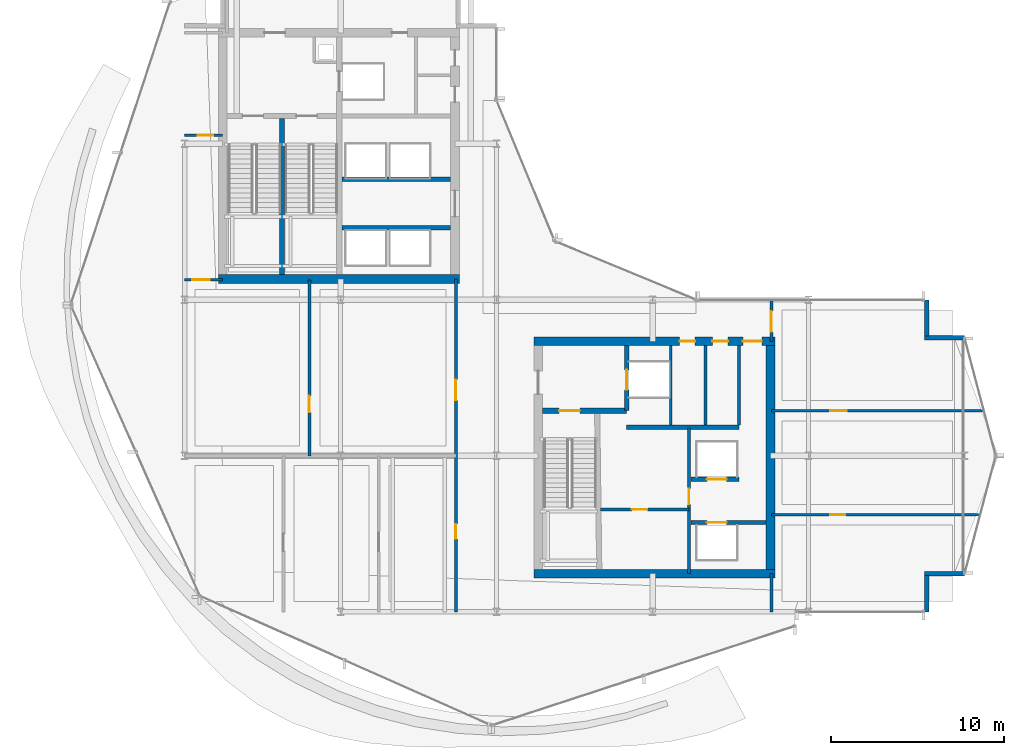
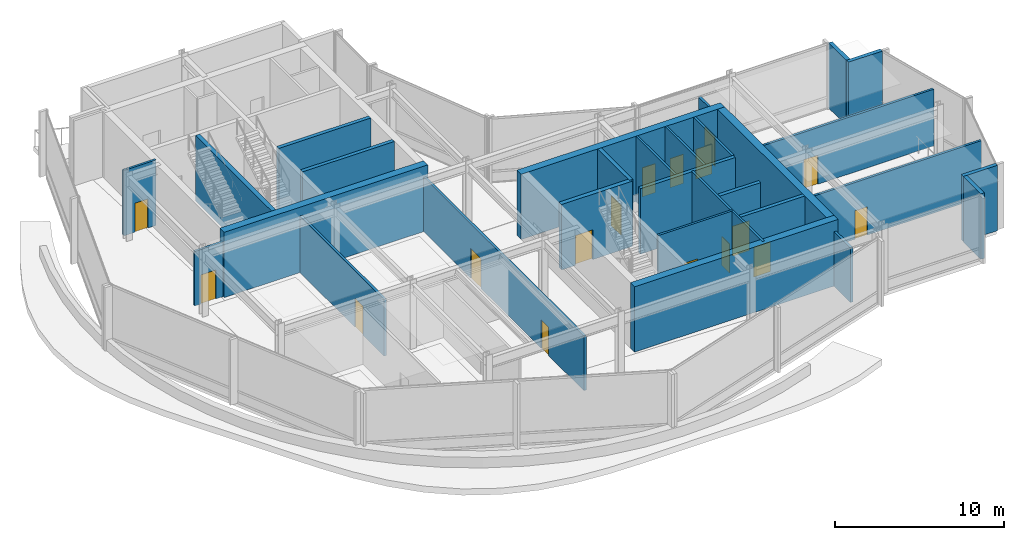
# One storey, part 21 of 29: 29 walls, 17 doors, 17 openings.
"""IFC4 building model written with IfcOpenShell, lengths in metres."""

from ifc_helpers import new_model, si_unit, direction, frame, frame_2d, origin, place, context, subcontext, project, spatial, rectangle, extrude, material, layer, layer_set, type_object, element, fill, save


model = new_model("IFC4")

# Units and contexts
model_context = context("Model", 3, precision=1e-05, world=origin(), true_north=direction((0.0, 1.0)))
body_context = subcontext(model_context, "Body", "Model", "MODEL_VIEW")
ifc_project = project(units=[si_unit("LENGTHUNIT", "METRE"), si_unit("AREAUNIT", "SQUARE_METRE"), si_unit("VOLUMEUNIT", "CUBIC_METRE"), si_unit("PLANEANGLEUNIT", "RADIAN"), si_unit("MASSUNIT", "GRAM", prefix="KILO")], contexts=[model_context])

# Site, building, storey
site_placement = place(None, origin())
site = spatial("IfcSite", under=ifc_project, at=site_placement, CompositionType="ELEMENT")
building_placement = place(site_placement, origin())
building = spatial("IfcBuilding", under=site, at=building_placement, Name="Solvaryn Broadcast Tower", CompositionType="ELEMENT")
storey_placement = place(building_placement, frame((0.0, 0.0, 169.199951171875)))
storey = spatial("IfcBuildingStorey", under=building, at=storey_placement, Name="L42", CompositionType="ELEMENT", Elevation=169.199951171875)

# Walls
ifc_material_1 = material(Name="Concrete f'c 70 MPa", Category="concrete")
ifc_layer_1 = layer(ifc_material_1, 0.5)
ifc_layer_set_1 = layer_set([ifc_layer_1], Name="CW-SHEAR-500")
wall_type_1 = type_object("IfcWallType", Name="CW-SHEAR-500", PredefinedType="SHEAR", material=ifc_layer_set_1)
for number, where, z_axis, x_axis, name in (
    (1, (10.949951171875, 28.199951171875, 0.0), (0.0, 0.0, 1.0), (1.0, 0.0, 0.0), "L42 West Core South Shear Wall"),
    (2, (29.14990234375, 11.199951171875, 0.0), (0.0, 0.0, 1.0), (1.0, 0.0, 0.0), "L42 East Core South Shear Wall"),
):
    element("IfcWall", number, at=place(storey_placement, frame(where, z_axis=z_axis, x_axis=x_axis)), inside=storey, type_object=wall_type_1, Name=name, PredefinedType="SHEAR", context=body_context, shape_type="SweptSolid", body=[
        extrude(rectangle(XDim=13.900146484375, YDim=0.5, at=frame_2d((6.9501953125, 0.0))), origin(), (0.0, 0.0, 1.0), 4.719970703125),
    ])

# Wall, openings, doors
wall_1_placement = place(storey_placement, frame((43.050048828125, 24.60009765625, 0.0), z_axis=(0.0, 0.0, 1.0), x_axis=(-1.0, 0.0, 0.0)))
wall_1 = element("IfcWall", 3, at=wall_1_placement, inside=storey, type_object=wall_type_1, Name="L42 East Core North Shear Wall", PredefinedType="SHEAR", context=body_context, shape_type="SweptSolid", body=[
    extrude(rectangle(XDim=13.900146484375, YDim=0.5, at=frame_2d((6.9501953125, 0.0))), origin(), (0.0, 0.0, 1.0), 4.719970703125),
])
opening_1_placement = place(wall_1_placement, frame((0.75, 0.0, 0.0)))
opening_1 = element("IfcOpeningElement", 4, at=opening_1_placement, cuts=wall_1, Name="Opening FD90C", PredefinedType="OPENING", context=body_context, shape_type="SweptSolid", body=[
    extrude(rectangle(XDim=1.10009765625, YDim=2.14990234375, at=frame_2d((0.550048828125, 1.074951171875))), frame((0.0, 0.260009765625, 0.0), z_axis=(0.0, -1.0, 0.0), x_axis=(1.0, 0.0, 0.0)), (0.0, 0.0, 1.0), 0.52001953125),
])
opening_2_placement = place(wall_1_placement, frame((2.699951171875, 0.0, 0.0)))
opening_2 = element("IfcOpeningElement", 5, at=opening_2_placement, cuts=wall_1, Name="Opening FD60C", PredefinedType="OPENING", context=body_context, shape_type="SweptSolid", body=[
    extrude(rectangle(XDim=0.89990234375, YDim=2.10009765625, at=frame_2d((0.449951171875, 1.050048828125))), frame((0.0, 0.260009765625, 0.0), z_axis=(0.0, -1.0, 0.0), x_axis=(1.0, 0.0, 0.0)), (0.0, 0.0, 1.0), 0.52001953125),
])
opening_3_placement = place(wall_1_placement, frame((4.60009765625, 0.0, 0.0)))
opening_3 = element("IfcOpeningElement", 6, at=opening_3_placement, cuts=wall_1, Name="Opening FD60C", PredefinedType="OPENING", context=body_context, shape_type="SweptSolid", body=[
    extrude(rectangle(XDim=0.89990234375, YDim=2.10009765625, at=frame_2d((0.449951171875, 1.050048828125))), frame((0.0, 0.260009765625, 0.0), z_axis=(0.0, -1.0, 0.0), x_axis=(1.0, 0.0, 0.0)), (0.0, 0.0, 1.0), 0.52001953125),
])
ifc_material_2 = material(Name="Flush Acoustic Steel and Timber Door Assembly", Category="steel")
door_type_1 = type_object("IfcDoorType", Name="FD60-SERV-900X2100", OperationType="NOTDEFINED", PredefinedType="DOOR", material=ifc_material_2)
door_1_placement = place(opening_2_placement, origin())
door_1 = element("IfcDoor", 7, at=door_1_placement, inside=storey, type_object=door_type_1, Name="L42 Staff Restroom Door", OperationType="SINGLE_SWING_LEFT", OverallHeight=2.10009765625, OverallWidth=0.89990234375, PredefinedType="DOOR", context=body_context, shape_type="SweptSolid", body=[
    extrude(rectangle(XDim=0.89990234375, YDim=2.10009765625, at=frame_2d((0.449951171875, 1.050048828125))), frame((0.0, 0.02490234375, 0.0), z_axis=(0.0, -1.0, 0.0), x_axis=(1.0, 0.0, 0.0)), (0.0, 0.0, 1.0), 0.050048828125),
])
fill(opening_2, door_1)
door_2_placement = place(opening_3_placement, origin())
door_2 = element("IfcDoor", 8, at=door_2_placement, inside=storey, type_object=door_type_1, Name="L42 Accessible WC Door", OperationType="SINGLE_SWING_RIGHT", OverallHeight=2.10009765625, OverallWidth=0.89990234375, PredefinedType="DOOR", context=body_context, shape_type="SweptSolid", body=[
    extrude(rectangle(XDim=0.89990234375, YDim=2.10009765625, at=frame_2d((0.449951171875, 1.050048828125))), frame((0.0, 0.02490234375, 0.0), z_axis=(0.0, -1.0, 0.0), x_axis=(1.0, 0.0, 0.0)), (0.0, 0.0, 1.0), 0.050048828125),
])
fill(opening_3, door_2)
ifc_material_3 = material(Name="Flush Acoustic Steel and Timber Door Assembly", Category="steel")
door_type_2 = type_object("IfcDoorType", Name="FD90-PLANT-1100X2150", OperationType="NOTDEFINED", PredefinedType="DOOR", material=ifc_material_3)
door_3_placement = place(opening_1_placement, origin())
door_3 = element("IfcDoor", 9, at=door_3_placement, inside=storey, type_object=door_type_2, Name="L42 East Core Lobby Corridor Door", OperationType="SINGLE_SWING_LEFT", OverallHeight=2.14990234375, OverallWidth=1.10009765625, PredefinedType="DOOR", context=body_context, shape_type="SweptSolid", body=[
    extrude(rectangle(XDim=1.10009765625, YDim=2.14990234375, at=frame_2d((0.550048828125, 1.074951171875))), frame((0.0, 0.02490234375, 0.0), z_axis=(0.0, -1.0, 0.0), x_axis=(1.0, 0.0, 0.0)), (0.0, 0.0, 1.0), 0.050048828125),
])
fill(opening_1, door_3)

# Walls
wall_2_placement = place(storey_placement, frame((42.800048828125, 11.449951171875, 0.0), z_axis=(0.0, 0.0, 1.0), x_axis=(0.0, 1.0, 0.0)))
element("IfcWall", 10, at=wall_2_placement, inside=storey, type_object=wall_type_1, Name="L42 East Core East Shear Wall", PredefinedType="SHEAR", context=body_context, shape_type="SweptSolid", body=[
    extrude(rectangle(XDim=12.900146484375, YDim=0.5, at=frame_2d((6.4501953125, 0.0))), origin(), (0.0, 0.0, 1.0), 4.719970703125),
])
ifc_material_4 = material(Name="Concrete f'c 50 MPa", Category="concrete")
ifc_layer_2 = layer(ifc_material_4, 0.260009765625)
ifc_layer_set_2 = layer_set([ifc_layer_2], Name="EW-PIER-260")
wall_type_2 = type_object("IfcWallType", Name="EW-PIER-260", PredefinedType="SOLIDWALL", material=ifc_layer_set_2)
wall_3_placement = place(storey_placement, frame((51.800048828125, 9.0, 0.0), z_axis=(0.0, 0.0, 1.0), x_axis=(0.0, 1.0, 0.0)))
element("IfcWall", 11, at=wall_3_placement, inside=storey, type_object=wall_type_2, Name="L42 Notched Corner Pier Wall NSE1", PredefinedType="SOLIDWALL", context=body_context, shape_type="SweptSolid", body=[
    extrude(rectangle(XDim=2.080078125, YDim=0.260009765625, at=frame_2d((1.0400390625, 0.0))), origin(), (0.0, 0.0, 1.0), 4.719970703125),
])
for number, where, z_axis, x_axis, name in (
    (12, (51.679931640625, 11.199951171875, 0.0), (0.0, 0.0, 1.0), (1.0, 0.0, 0.0), "L42 Notched Corner Pier Wall NSE2"),
    (13, (54.0, 24.800048828125, 0.0), (0.0, 0.0, 1.0), (-1.0, 0.0, 0.0), "L42 Notched Corner Pier Wall NEE1"),
):
    element("IfcWall", number, at=place(storey_placement, frame(where, z_axis=z_axis, x_axis=x_axis)), inside=storey, type_object=wall_type_2, Name=name, PredefinedType="SOLIDWALL", context=body_context, shape_type="SweptSolid", body=[
        extrude(rectangle(XDim=2.320068359375, YDim=0.260009765625, at=frame_2d((1.16015625, 0.0))), origin(), (0.0, 0.0, 1.0), 4.719970703125),
    ])
wall_4_placement = place(storey_placement, frame((51.800048828125, 24.919921875, 0.0), z_axis=(0.0, 0.0, 1.0), x_axis=(0.0, 1.0, 0.0)))
element("IfcWall", 14, at=wall_4_placement, inside=storey, type_object=wall_type_2, Name="L42 Notched Corner Pier Wall NEE2", PredefinedType="SOLIDWALL", context=body_context, shape_type="SweptSolid", body=[
    extrude(rectangle(XDim=2.080078125, YDim=0.260009765625, at=frame_2d((1.0400390625, 0.0))), origin(), (0.0, 0.0, 1.0), 4.719970703125),
])

# Wall, opening, door
ifc_material_5 = material(Name="Metal-Stud Service Core Partition")
ifc_layer_3 = layer(ifc_material_5, 0.14990234375)
ifc_layer_set_3 = layer_set([ifc_layer_3], Name="IW-PART-150")
wall_type_3 = type_object("IfcWallType", Name="IW-PART-150", PredefinedType="PARTITIONING", material=ifc_layer_set_3)
wall_5_placement = place(storey_placement, frame((33.0, 14.89990234375, 0.0), z_axis=(0.0, 0.0, 1.0), x_axis=(1.0, 0.0, 0.0)))
wall_5 = element("IfcWall", 15, at=wall_5_placement, inside=storey, type_object=wall_type_3, Name="L42 Interior Partition IW-L42-RPL-H", PredefinedType="PARTITIONING", context=body_context, shape_type="SweptSolid", body=[
    extrude(rectangle(XDim=5.10009765625, YDim=0.14990234375, at=frame_2d((2.550048828125, 0.0))), origin(), (0.0, 0.0, 1.0), 4.719970703125),
])
opening_4_placement = place(wall_5_placement, frame((1.800048828125, 0.0, 0.0)))
opening_4 = element("IfcOpeningElement", 16, at=opening_4_placement, cuts=wall_5, Name="Opening FD60C", PredefinedType="OPENING", context=body_context, shape_type="SweptSolid", body=[
    extrude(rectangle(XDim=0.89990234375, YDim=2.10009765625, at=frame_2d((0.449951171875, 1.050048828125))), frame((0.0, 0.0849609375, 0.0), z_axis=(0.0, -1.0, 0.0), x_axis=(1.0, 0.0, 0.0)), (0.0, 0.0, 1.0), 0.169921875),
])
door_4_placement = place(opening_4_placement, origin())
door_4 = element("IfcDoor", 17, at=door_4_placement, inside=storey, type_object=door_type_1, Name="L42 Door DR-L42-RPL1", OperationType="SINGLE_SWING_LEFT", OverallHeight=2.10009765625, OverallWidth=0.89990234375, PredefinedType="DOOR", context=body_context, shape_type="SweptSolid", body=[
    extrude(rectangle(XDim=0.89990234375, YDim=2.10009765625, at=frame_2d((0.449951171875, 1.050048828125))), frame((0.0, 0.02490234375, 0.0), z_axis=(0.0, -1.0, 0.0), x_axis=(1.0, 0.0, 0.0)), (0.0, 0.0, 1.0), 0.050048828125),
])
fill(opening_4, door_4)

wall_6_placement = place(storey_placement, frame((38.10009765625, 11.199951171875, 0.0), z_axis=(0.0, 0.0, 1.0), x_axis=(0.0, 1.0, 0.0)))
wall_6 = element("IfcWall", 18, at=wall_6_placement, inside=storey, type_object=wall_type_3, Name="L42 Interior Partition IW-L42-RPL-E", PredefinedType="PARTITIONING", context=body_context, shape_type="SweptSolid", body=[
    extrude(rectangle(XDim=8.400146484375, YDim=0.14990234375, at=frame_2d((4.2001953125, 0.0))), origin(), (0.0, 0.0, 1.0), 4.719970703125),
])
opening_5_placement = place(wall_6_placement, frame((4.0, 0.0, 0.0)))
opening_5 = element("IfcOpeningElement", 19, at=opening_5_placement, cuts=wall_6, Name="Opening FD60C", PredefinedType="OPENING", context=body_context, shape_type="SweptSolid", body=[
    extrude(rectangle(XDim=0.89990234375, YDim=2.10009765625, at=frame_2d((0.449951171875, 1.050048828125))), frame((0.0, 0.0849609375, 0.0), z_axis=(0.0, -1.0, 0.0), x_axis=(1.0, 0.0, 0.0)), (0.0, 0.0, 1.0), 0.169921875),
])
door_5_placement = place(opening_5_placement, origin())
door_5 = element("IfcDoor", 20, at=door_5_placement, inside=storey, type_object=door_type_1, Name="L42 Door DR-L42-RPL2", OperationType="SINGLE_SWING_RIGHT", OverallHeight=2.10009765625, OverallWidth=0.89990234375, PredefinedType="DOOR", context=body_context, shape_type="SweptSolid", body=[
    extrude(rectangle(XDim=0.89990234375, YDim=2.10009765625, at=frame_2d((0.449951171875, 1.050048828125))), frame((0.0, 0.02490234375, 0.0), z_axis=(0.0, -1.0, 0.0), x_axis=(1.0, 0.0, 0.0)), (0.0, 0.0, 1.0), 0.050048828125),
])
fill(opening_5, door_5)

# Walls
for number, where, z_axis, x_axis, name in (
    (21, (37.050048828125, 19.780029296875, 0.0), (0.0, 0.0, 1.0), (0.0, 1.0, 0.0), "L42 Interior Partition IW-L42-CE-FL2E"),
    (22, (39.050048828125, 19.780029296875, 0.0), (0.0, 0.0, 1.0), (0.0, 1.0, 0.0), "L42 Interior Partition IW-L42-CE-V1"),
    (23, (40.97998046875, 19.780029296875, 0.0), (0.0, 0.0, 1.0), (0.0, 1.0, 0.0), "L42 Interior Partition IW-L42-CE-V3"),
):
    element("IfcWall", number, at=place(storey_placement, frame(where, z_axis=z_axis, x_axis=x_axis)), inside=storey, type_object=wall_type_3, Name=name, PredefinedType="PARTITIONING", context=body_context, shape_type="SweptSolid", body=[
        extrude(rectangle(XDim=4.570068359375, YDim=0.14990234375, at=frame_2d((2.28515625, 0.0))), origin(), (0.0, 0.0, 1.0), 4.719970703125),
    ])

# Wall, opening, door
wall_7_placement = place(storey_placement, frame((9.0, 36.5, 0.0), z_axis=(0.0, 0.0, 1.0), x_axis=(1.0, 0.0, 0.0)))
wall_7 = element("IfcWall", 24, at=wall_7_placement, inside=storey, type_object=wall_type_3, Name="L42 Interior Partition IW-L42-WM-M", PredefinedType="PARTITIONING", context=body_context, shape_type="SweptSolid", body=[
    extrude(rectangle(XDim=2.199951171875, YDim=0.14990234375, at=frame_2d((1.10009765625, 0.0))), origin(), (0.0, 0.0, 1.0), 4.719970703125),
])
opening_6_placement = place(wall_7_placement, frame((0.75, 0.0, 0.0)))
opening_6 = element("IfcOpeningElement", 25, at=opening_6_placement, cuts=wall_7, Name="Opening FD60C", PredefinedType="OPENING", context=body_context, shape_type="SweptSolid", body=[
    extrude(rectangle(XDim=0.89990234375, YDim=2.10009765625, at=frame_2d((0.449951171875, 1.050048828125))), frame((0.0, 0.0849609375, 0.0), z_axis=(0.0, -1.0, 0.0), x_axis=(1.0, 0.0, 0.0)), (0.0, 0.0, 1.0), 0.169921875),
])
door_6_placement = place(opening_6_placement, origin())
door_6 = element("IfcDoor", 26, at=door_6_placement, inside=storey, type_object=door_type_1, Name="L42 Door DR-L42-WM1", OperationType="SINGLE_SWING_LEFT", OverallHeight=2.10009765625, OverallWidth=0.89990234375, PredefinedType="DOOR", context=body_context, shape_type="SweptSolid", body=[
    extrude(rectangle(XDim=0.89990234375, YDim=2.10009765625, at=frame_2d((0.449951171875, 1.050048828125))), frame((0.0, 0.02490234375, 0.0), z_axis=(0.0, -1.0, 0.0), x_axis=(1.0, 0.0, 0.0)), (0.0, 0.0, 1.0), 0.050048828125),
])
fill(opening_6, door_6)

ifc_material_6 = material(Name="Metal-Stud Gypsum Office Partition")
ifc_layer_4 = layer(ifc_material_6, 0.159912109375)
ifc_layer_set_4 = layer_set([ifc_layer_4], Name="IW-PART-160")
wall_type_4 = type_object("IfcWallType", Name="IW-PART-160", PredefinedType="PARTITIONING", material=ifc_layer_set_4)
wall_8_placement = place(storey_placement, frame((9.0, 28.14990234375, 0.0), z_axis=(0.0, 0.0, 1.0), x_axis=(1.0, 0.0, 0.0)))
wall_8 = element("IfcWall", 27, at=wall_8_placement, inside=storey, type_object=wall_type_4, Name="L42 Interior Partition IW-L42-WM-S", PredefinedType="PARTITIONING", context=body_context, shape_type="SweptSolid", body=[
    extrude(rectangle(XDim=2.199951171875, YDim=0.159912109375, at=frame_2d((1.10009765625, 0.0))), origin(), (0.0, 0.0, 1.0), 3.93408203125),
])
opening_7_placement = place(wall_8_placement, frame((0.449951171875, 0.0, 0.0)))
opening_7 = element("IfcOpeningElement", 28, at=opening_7_placement, cuts=wall_8, Name="Opening ID02", PredefinedType="OPENING", context=body_context, shape_type="SweptSolid", body=[
    extrude(rectangle(XDim=1.0, YDim=2.10009765625, at=frame_2d((0.5, 1.050048828125))), frame((0.0, 0.090087890625, 0.0), z_axis=(0.0, -1.0, 0.0), x_axis=(1.0, 0.0, 0.0)), (0.0, 0.0, 1.0), 0.179931640625),
])
ifc_material_7 = material(Name="Flush Acoustic Steel and Timber Door Assembly", Category="steel")
door_type_3 = type_object("IfcDoorType", Name="ID-02-1000X2100", OperationType="NOTDEFINED", PredefinedType="DOOR", material=ifc_material_7)
door_7_placement = place(opening_7_placement, origin())
door_7 = element("IfcDoor", 29, at=door_7_placement, inside=storey, type_object=door_type_3, Name="L42 Door DR-L42-WM0", OperationType="SINGLE_SWING_RIGHT", OverallHeight=2.10009765625, OverallWidth=1.0, PredefinedType="DOOR", context=body_context, shape_type="SweptSolid", body=[
    extrude(rectangle(XDim=1.0, YDim=2.10009765625, at=frame_2d((0.5, 1.050048828125))), frame((0.0, 0.02490234375, 0.0), z_axis=(0.0, -1.0, 0.0), x_axis=(1.0, 0.0, 0.0)), (0.0, 0.0, 1.0), 0.050048828125),
])
fill(opening_7, door_7)

# Wall, openings, doors
wall_9_placement = place(storey_placement, frame((24.64990234375, 9.0, 0.0), z_axis=(0.0, 0.0, 1.0), x_axis=(0.0, 1.0, 0.0)))
wall_9 = element("IfcWall", 30, at=wall_9_placement, inside=storey, type_object=wall_type_4, Name="L42 Interior Partition IW-L42-SW-EB", PredefinedType="PARTITIONING", context=body_context, shape_type="SweptSolid", body=[
    extrude(rectangle(XDim=19.199951171875, YDim=0.159912109375, at=frame_2d((9.60009765625, 0.0))), origin(), (0.0, 0.0, 1.0), 3.93408203125),
])
opening_8_placement = place(wall_9_placement, frame((12.199951171875, 0.0, 0.0)))
opening_8 = element("IfcOpeningElement", 31, at=opening_8_placement, cuts=wall_9, Name="Opening ID04", PredefinedType="OPENING", context=body_context, shape_type="SweptSolid", body=[
    extrude(rectangle(XDim=1.199951171875, YDim=2.14990234375, at=frame_2d((0.60009765625, 1.074951171875))), frame((0.0, 0.090087890625, 0.0), z_axis=(0.0, -1.0, 0.0), x_axis=(1.0, 0.0, 0.0)), (0.0, 0.0, 1.0), 0.179931640625),
])
opening_9_placement = place(wall_9_placement, frame((4.199951171875, 0.0, 0.0)))
opening_9 = element("IfcOpeningElement", 32, at=opening_9_placement, cuts=wall_9, Name="Opening ID07", PredefinedType="OPENING", context=body_context, shape_type="SweptSolid", body=[
    extrude(rectangle(XDim=0.860107421875, YDim=2.050048828125, at=frame_2d((0.43017578125, 1.02490234375))), frame((0.0, 0.090087890625, 0.0), z_axis=(0.0, -1.0, 0.0), x_axis=(1.0, 0.0, 0.0)), (0.0, 0.0, 1.0), 0.179931640625),
])
ifc_material_8 = material(Name="Flush Acoustic Steel and Timber Door Assembly", Category="steel")
door_type_4 = type_object("IfcDoorType", Name="ID-04-1200X2150", OperationType="NOTDEFINED", PredefinedType="DOOR", material=ifc_material_8)
door_8_placement = place(opening_8_placement, origin())
door_8 = element("IfcDoor", 33, at=door_8_placement, inside=storey, type_object=door_type_4, Name="L42 Door DR-L42-SW-EN", OperationType="SINGLE_SWING_RIGHT", OverallHeight=2.14990234375, OverallWidth=1.199951171875, PredefinedType="DOOR", context=body_context, shape_type="SweptSolid", body=[
    extrude(rectangle(XDim=1.199951171875, YDim=2.14990234375, at=frame_2d((0.60009765625, 1.074951171875))), frame((0.0, 0.02490234375, 0.0), z_axis=(0.0, -1.0, 0.0), x_axis=(1.0, 0.0, 0.0)), (0.0, 0.0, 1.0), 0.050048828125),
])
fill(opening_8, door_8)
ifc_material_9 = material(Name="Flush Acoustic Steel and Timber Door Assembly", Category="steel")
door_type_5 = type_object("IfcDoorType", Name="ID-07-860X2050", OperationType="NOTDEFINED", PredefinedType="DOOR", material=ifc_material_9)
door_9_placement = place(opening_9_placement, origin())
door_9 = element("IfcDoor", 34, at=door_9_placement, inside=storey, type_object=door_type_5, Name="L42 Door DR-L42-SW-ES", OperationType="SINGLE_SWING_LEFT", OverallHeight=2.050048828125, OverallWidth=0.860107421875, PredefinedType="DOOR", context=body_context, shape_type="SweptSolid", body=[
    extrude(rectangle(XDim=0.860107421875, YDim=2.050048828125, at=frame_2d((0.43017578125, 1.02490234375))), frame((0.0, 0.02490234375, 0.0), z_axis=(0.0, -1.0, 0.0), x_axis=(1.0, 0.0, 0.0)), (0.0, 0.0, 1.0), 0.050048828125),
])
fill(opening_9, door_9)

# Wall, opening, door
wall_10_placement = place(storey_placement, frame((16.199951171875, 18.0, 0.0), z_axis=(0.0, 0.0, 1.0), x_axis=(0.0, 1.0, 0.0)))
wall_10 = element("IfcWall", 35, at=wall_10_placement, inside=storey, type_object=wall_type_4, Name="L42 Interior Partition IW-L42-SWN-V1", PredefinedType="PARTITIONING", context=body_context, shape_type="SweptSolid", body=[
    extrude(rectangle(XDim=10.1298828125, YDim=0.159912109375, at=frame_2d((5.06494140625, 0.0))), origin(), (0.0, 0.0, 1.0), 4.089111328125),
])
opening_10_placement = place(wall_10_placement, frame((2.5, 0.0, 0.0)))
opening_10 = element("IfcOpeningElement", 36, at=opening_10_placement, cuts=wall_10, Name="Opening ID01", PredefinedType="OPENING", context=body_context, shape_type="SweptSolid", body=[
    extrude(rectangle(XDim=0.949951171875, YDim=2.10009765625, at=frame_2d((0.47509765625, 1.050048828125))), frame((0.0, 0.090087890625, 0.0), z_axis=(0.0, -1.0, 0.0), x_axis=(1.0, 0.0, 0.0)), (0.0, 0.0, 1.0), 0.179931640625),
])
ifc_material_10 = material(Name="Flush Acoustic Steel and Timber Door Assembly", Category="steel")
door_type_6 = type_object("IfcDoorType", Name="ID-01-950X2100", OperationType="NOTDEFINED", PredefinedType="DOOR", material=ifc_material_10)
door_10_placement = place(opening_10_placement, origin())
door_10 = element("IfcDoor", 37, at=door_10_placement, inside=storey, type_object=door_type_6, Name="L42 Door DR-L42-SWN-1", OperationType="SINGLE_SWING_RIGHT", OverallHeight=2.10009765625, OverallWidth=0.949951171875, PredefinedType="DOOR", context=body_context, shape_type="SweptSolid", body=[
    extrude(rectangle(XDim=0.949951171875, YDim=2.10009765625, at=frame_2d((0.47509765625, 1.050048828125))), frame((0.0, 0.02490234375, 0.0), z_axis=(0.0, -1.0, 0.0), x_axis=(1.0, 0.0, 0.0)), (0.0, 0.0, 1.0), 0.050048828125),
])
fill(opening_10, door_10)

# Wall
wall_11_placement = place(storey_placement, frame((42.85009765625, 9.0, 0.0), z_axis=(0.0, 0.0, 1.0), x_axis=(0.0, 1.0, 0.0)))
element("IfcWall", 38, at=wall_11_placement, inside=storey, type_object=wall_type_4, Name="L42 Interior Partition IW-L42-SC-E", PredefinedType="PARTITIONING", context=body_context, shape_type="SweptSolid", body=[
    extrude(rectangle(XDim=2.199951171875, YDim=0.159912109375, at=frame_2d((1.10009765625, 0.0))), origin(), (0.0, 0.0, 1.0), 3.93408203125),
])

# Wall, opening, door
wall_12_placement = place(storey_placement, frame((42.85009765625, 24.60009765625, 0.0), z_axis=(0.0, 0.0, 1.0), x_axis=(0.0, 1.0, 0.0)))
wall_12 = element("IfcWall", 39, at=wall_12_placement, inside=storey, type_object=wall_type_4, Name="L42 Interior Partition IW-L42-EW-BN", PredefinedType="PARTITIONING", context=body_context, shape_type="SweptSolid", body=[
    extrude(rectangle(XDim=2.39990234375, YDim=0.159912109375, at=frame_2d((1.199951171875, 0.0))), origin(), (0.0, 0.0, 1.0), 3.93408203125),
])
opening_11_placement = place(wall_12_placement, frame((0.550048828125, 0.0, 0.0)))
opening_11 = element("IfcOpeningElement", 40, at=opening_11_placement, cuts=wall_12, Name="Opening ID04", PredefinedType="OPENING", context=body_context, shape_type="SweptSolid", body=[
    extrude(rectangle(XDim=1.199951171875, YDim=2.14990234375, at=frame_2d((0.60009765625, 1.074951171875))), frame((0.0, 0.090087890625, 0.0), z_axis=(0.0, -1.0, 0.0), x_axis=(1.0, 0.0, 0.0)), (0.0, 0.0, 1.0), 0.179931640625),
])
door_11_placement = place(opening_11_placement, origin())
door_11 = element("IfcDoor", 41, at=door_11_placement, inside=storey, type_object=door_type_4, Name="L42 Door DR-L42-EW0", OperationType="SINGLE_SWING_LEFT", OverallHeight=2.14990234375, OverallWidth=1.199951171875, PredefinedType="DOOR", context=body_context, shape_type="SweptSolid", body=[
    extrude(rectangle(XDim=1.199951171875, YDim=2.14990234375, at=frame_2d((0.60009765625, 1.074951171875))), frame((0.0, 0.02490234375, 0.0), z_axis=(0.0, -1.0, 0.0), x_axis=(1.0, 0.0, 0.0)), (0.0, 0.0, 1.0), 0.050048828125),
])
fill(opening_11, door_11)

wall_13_placement = place(storey_placement, frame((42.85009765625, 14.60009765625, 0.0), z_axis=(0.0, 0.0, 1.0), x_axis=(1.0, 0.0, 0.0)))
wall_13 = element("IfcWall", 42, at=wall_13_placement, inside=storey, type_object=wall_type_4, Name="L42 Interior Partition IW-L42-EW-H1", PredefinedType="PARTITIONING", context=body_context, shape_type="SweptSolid", body=[
    extrude(rectangle(XDim=12.0498046875, YDim=0.159912109375, at=frame_2d((6.02490234375, 0.0))), origin(), (0.0, 0.0, 1.0), 4.092041015625),
])
opening_12_placement = place(wall_13_placement, frame((3.39990234375, 0.0, 0.0)))
opening_12 = element("IfcOpeningElement", 43, at=opening_12_placement, cuts=wall_13, Name="Opening ID07", PredefinedType="OPENING", context=body_context, shape_type="SweptSolid", body=[
    extrude(rectangle(XDim=0.860107421875, YDim=2.050048828125, at=frame_2d((0.43017578125, 1.02490234375))), frame((0.0, 0.090087890625, 0.0), z_axis=(0.0, -1.0, 0.0), x_axis=(1.0, 0.0, 0.0)), (0.0, 0.0, 1.0), 0.179931640625),
])
door_12_placement = place(opening_12_placement, origin())
door_12 = element("IfcDoor", 44, at=door_12_placement, inside=storey, type_object=door_type_5, Name="L42 Door DR-L42-EW-1", OperationType="SINGLE_SWING_RIGHT", OverallHeight=2.050048828125, OverallWidth=0.860107421875, PredefinedType="DOOR", context=body_context, shape_type="SweptSolid", body=[
    extrude(rectangle(XDim=0.860107421875, YDim=2.050048828125, at=frame_2d((0.43017578125, 1.02490234375))), frame((0.0, 0.02490234375, 0.0), z_axis=(0.0, -1.0, 0.0), x_axis=(1.0, 0.0, 0.0)), (0.0, 0.0, 1.0), 0.050048828125),
])
fill(opening_12, door_12)

wall_14_placement = place(storey_placement, frame((42.85009765625, 20.60009765625, 0.0), z_axis=(0.0, 0.0, 1.0), x_axis=(1.0, 0.0, 0.0)))
wall_14 = element("IfcWall", 45, at=wall_14_placement, inside=storey, type_object=wall_type_4, Name="L42 Interior Partition IW-L42-EW-H2", PredefinedType="PARTITIONING", context=body_context, shape_type="SweptSolid", body=[
    extrude(rectangle(XDim=12.261962890625, YDim=0.159912109375, at=frame_2d((6.130859375, 0.0))), origin(), (0.0, 0.0, 1.0), 4.092041015625),
])
opening_13_placement = place(wall_14_placement, frame((3.39990234375, 0.0, 0.0)))
opening_13 = element("IfcOpeningElement", 46, at=opening_13_placement, cuts=wall_14, Name="Opening ID01", PredefinedType="OPENING", context=body_context, shape_type="SweptSolid", body=[
    extrude(rectangle(XDim=0.949951171875, YDim=2.10009765625, at=frame_2d((0.47509765625, 1.050048828125))), frame((0.0, 0.090087890625, 0.0), z_axis=(0.0, -1.0, 0.0), x_axis=(1.0, 0.0, 0.0)), (0.0, 0.0, 1.0), 0.179931640625),
])
door_13_placement = place(opening_13_placement, origin())
door_13 = element("IfcDoor", 47, at=door_13_placement, inside=storey, type_object=door_type_6, Name="L42 Door DR-L42-EW-2", OperationType="SINGLE_SWING_LEFT", OverallHeight=2.10009765625, OverallWidth=0.949951171875, PredefinedType="DOOR", context=body_context, shape_type="SweptSolid", body=[
    extrude(rectangle(XDim=0.949951171875, YDim=2.10009765625, at=frame_2d((0.47509765625, 1.050048828125))), frame((0.0, 0.02490234375, 0.0), z_axis=(0.0, -1.0, 0.0), x_axis=(1.0, 0.0, 0.0)), (0.0, 0.0, 1.0), 0.050048828125),
])
fill(opening_13, door_13)

# Walls
ifc_material_11 = material(Name="Concrete f'c 60 MPa", Category="concrete")
ifc_layer_5 = layer(ifc_material_11, 0.25)
ifc_layer_set_5 = layer_set([ifc_layer_5], Name="SW-SHAFT-250")
wall_type_5 = type_object("IfcWallType", Name="SW-SHAFT-250", PredefinedType="PARTITIONING", material=ifc_layer_set_5)
for number, where, z_axis, x_axis, name in (
    (48, (18.070068359375, 31.14990234375, 0.0), (0.0, 0.0, 1.0), (1.0, 0.0, 0.0), "L42 High-Rise Lift Bank South Wall"),
    (49, (24.35009765625, 33.949951171875, 0.0), (0.0, 0.0, 1.0), (-1.0, 0.0, 0.0), "L42 High-Rise Lift Bank North Wall"),
):
    element("IfcWall", number, at=place(storey_placement, frame(where, z_axis=z_axis, x_axis=x_axis)), inside=storey, type_object=wall_type_5, Name=name, PredefinedType="PARTITIONING", context=body_context, shape_type="SweptSolid", body=[
        extrude(rectangle(XDim=6.280029296875, YDim=0.25, at=frame_2d((3.14013671875, 0.0))), origin(), (0.0, 0.0, 1.0), 4.719970703125),
    ])

# Wall, opening, door
wall_15_placement = place(storey_placement, frame((34.5, 20.60009765625, 0.0), z_axis=(0.0, 0.0, 1.0), x_axis=(0.0, 1.0, 0.0)))
wall_15 = element("IfcWall", 50, at=wall_15_placement, inside=storey, type_object=wall_type_5, Name="L42 East FSAE Lobby East Wall", PredefinedType="PARTITIONING", context=body_context, shape_type="SweptSolid", body=[
    extrude(rectangle(XDim=3.75, YDim=0.25, at=frame_2d((1.875, 0.0))), origin(), (0.0, 0.0, 1.0), 4.719970703125),
])
opening_14_placement = place(wall_15_placement, frame((1.199951171875, 0.0, 0.0)))
opening_14 = element("IfcOpeningElement", 51, at=opening_14_placement, cuts=wall_15, Name="Opening LD01", PredefinedType="OPENING", context=body_context, shape_type="SweptSolid", body=[
    extrude(rectangle(XDim=1.14990234375, YDim=2.14990234375, at=frame_2d((0.574951171875, 1.074951171875))), frame((0.0, 0.135009765625, 0.0), z_axis=(0.0, -1.0, 0.0), x_axis=(1.0, 0.0, 0.0)), (0.0, 0.0, 1.0), 0.27001953125),
])
ifc_material_12 = material(Name="Flush Acoustic Steel and Timber Door Assembly", Category="steel")
door_type_7 = type_object("IfcDoorType", Name="LD-LIFT-1150X2150", OperationType="NOTDEFINED", PredefinedType="DOOR", material=ifc_material_12)
door_14_placement = place(opening_14_placement, origin())
door_14 = element("IfcDoor", 52, at=door_14_placement, inside=storey, type_object=door_type_7, Name="L42 FL2 Lift Landing Door", OperationType="DOUBLE_DOOR_SLIDING", OverallHeight=2.14990234375, OverallWidth=1.14990234375, PredefinedType="DOOR", context=body_context, shape_type="SweptSolid", body=[
    extrude(rectangle(XDim=1.14990234375, YDim=2.14990234375, at=frame_2d((0.574951171875, 1.074951171875))), frame((0.0, 0.02490234375, 0.0), z_axis=(0.0, -1.0, 0.0), x_axis=(1.0, 0.0, 0.0)), (0.0, 0.0, 1.0), 0.050048828125),
])
fill(opening_14, door_14)

# Wall
wall_16_placement = place(storey_placement, frame((34.5, 19.64990234375, 0.0), z_axis=(0.0, 0.0, 1.0), x_axis=(1.0, 0.0, 0.0)))
element("IfcWall", 53, at=wall_16_placement, inside=storey, type_object=wall_type_5, Name="L42 East Core Restroom South Wall", PredefinedType="PARTITIONING", context=body_context, shape_type="SweptSolid", body=[
    extrude(rectangle(XDim=6.47998046875, YDim=0.25, at=frame_2d((3.239990234375, 0.0))), origin(), (0.0, 0.0, 1.0), 4.719970703125),
])

# Wall, opening, door
wall_17_placement = place(storey_placement, frame((38.199951171875, 14.14990234375, 0.0), z_axis=(0.0, 0.0, 1.0), x_axis=(1.0, 0.0, 0.0)))
wall_17 = element("IfcWall", 54, at=wall_17_placement, inside=storey, type_object=wall_type_5, Name="L42 East Lift Bank South Wall", PredefinedType="PARTITIONING", context=body_context, shape_type="SweptSolid", body=[
    extrude(rectangle(XDim=4.35009765625, YDim=0.25, at=frame_2d((2.175048828125, 0.0))), origin(), (0.0, 0.0, 1.0), 4.719970703125),
])
opening_15_placement = place(wall_17_placement, frame((0.925048828125, 0.0, 0.0)))
opening_15 = element("IfcOpeningElement", 55, at=opening_15_placement, cuts=wall_17, Name="Opening LD01", PredefinedType="OPENING", context=body_context, shape_type="SweptSolid", body=[
    extrude(rectangle(XDim=1.14990234375, YDim=2.14990234375, at=frame_2d((0.574951171875, 1.074951171875))), frame((0.0, 0.135009765625, 0.0), z_axis=(0.0, -1.0, 0.0), x_axis=(1.0, 0.0, 0.0)), (0.0, 0.0, 1.0), 0.27001953125),
])
door_15_placement = place(opening_15_placement, origin())
door_15 = element("IfcDoor", 56, at=door_15_placement, inside=storey, type_object=door_type_7, Name="L42 PM1 Lift Landing Door", OperationType="DOUBLE_DOOR_SLIDING", OverallHeight=2.14990234375, OverallWidth=1.14990234375, PredefinedType="DOOR", context=body_context, shape_type="SweptSolid", body=[
    extrude(rectangle(XDim=1.14990234375, YDim=2.14990234375, at=frame_2d((0.574951171875, 1.074951171875))), frame((0.0, 0.02490234375, 0.0), z_axis=(0.0, -1.0, 0.0), x_axis=(1.0, 0.0, 0.0)), (0.0, 0.0, 1.0), 0.050048828125),
])
fill(opening_15, door_15)

wall_18_placement = place(storey_placement, frame((40.97998046875, 16.64990234375, 0.0), z_axis=(0.0, 0.0, 1.0), x_axis=(-1.0, 0.0, 0.0)))
wall_18 = element("IfcWall", 57, at=wall_18_placement, inside=storey, type_object=wall_type_5, Name="L42 East Lift Bank North Wall", PredefinedType="PARTITIONING", context=body_context, shape_type="SweptSolid", body=[
    extrude(rectangle(XDim=2.780029296875, YDim=0.25, at=frame_2d((1.39013671875, 0.0))), origin(), (0.0, 0.0, 1.0), 4.719970703125),
])
opening_16_placement = place(wall_18_placement, frame((0.705078125, 0.0, 0.0)))
opening_16 = element("IfcOpeningElement", 58, at=opening_16_placement, cuts=wall_18, Name="Opening LD01", PredefinedType="OPENING", context=body_context, shape_type="SweptSolid", body=[
    extrude(rectangle(XDim=1.14990234375, YDim=2.14990234375, at=frame_2d((0.574951171875, 1.074951171875))), frame((0.0, 0.135009765625, 0.0), z_axis=(0.0, -1.0, 0.0), x_axis=(1.0, 0.0, 0.0)), (0.0, 0.0, 1.0), 0.27001953125),
])
door_16_placement = place(opening_16_placement, origin())
door_16 = element("IfcDoor", 59, at=door_16_placement, inside=storey, type_object=door_type_7, Name="L42 PM2 Lift Landing Door", OperationType="DOUBLE_DOOR_SLIDING", OverallHeight=2.14990234375, OverallWidth=1.14990234375, PredefinedType="DOOR", context=body_context, shape_type="SweptSolid", body=[
    extrude(rectangle(XDim=1.14990234375, YDim=2.14990234375, at=frame_2d((0.574951171875, 1.074951171875))), frame((0.0, 0.02490234375, 0.0), z_axis=(0.0, -1.0, 0.0), x_axis=(1.0, 0.0, 0.0)), (0.0, 0.0, 1.0), 0.050048828125),
])
fill(opening_16, door_16)

# Wall
ifc_material_13 = material(Name="Concrete f'c 70 MPa", Category="concrete")
ifc_layer_6 = layer(ifc_material_13, 0.300048828125)
ifc_layer_set_6 = layer_set([ifc_layer_6], Name="SW-SHAFT-300")
wall_type_6 = type_object("IfcWallType", Name="SW-SHAFT-300", PredefinedType="SHEAR", material=ifc_layer_set_6)
wall_19_placement = place(storey_placement, frame((14.6201171875, 28.449951171875, 0.0), z_axis=(0.0, 0.0, 1.0), x_axis=(0.0, 1.0, 0.0)))
element("IfcWall", 60, at=wall_19_placement, inside=storey, type_object=wall_type_6, Name="L42 Stair 1-2 Dividing Wall", PredefinedType="SHEAR", context=body_context, shape_type="SweptSolid", body=[
    extrude(rectangle(XDim=9.0, YDim=0.300048828125, at=frame_2d((4.5, 0.0))), origin(), (0.0, 0.0, 1.0), 4.719970703125),
])

# Wall, opening, door
wall_20_placement = place(storey_placement, frame((34.5, 20.60009765625, 0.0), z_axis=(0.0, 0.0, 1.0), x_axis=(-1.0, 0.0, 0.0)))
wall_20 = element("IfcWall", 61, at=wall_20_placement, inside=storey, type_object=wall_type_6, Name="L42 East FSAE Lobby South Wall", PredefinedType="SHEAR", context=body_context, shape_type="SweptSolid", body=[
    extrude(rectangle(XDim=4.85009765625, YDim=0.300048828125, at=frame_2d((2.425048828125, 0.0))), origin(), (0.0, 0.0, 1.0), 4.719970703125),
])
opening_17_placement = place(wall_20_placement, frame((2.699951171875, 0.0, 0.0)))
opening_17 = element("IfcOpeningElement", 62, at=opening_17_placement, cuts=wall_20, Name="Opening FD90A", PredefinedType="OPENING", context=body_context, shape_type="SweptSolid", body=[
    extrude(rectangle(XDim=1.199951171875, YDim=2.14990234375, at=frame_2d((0.60009765625, 1.074951171875))), frame((0.0, 0.159912109375, 0.0), z_axis=(0.0, -1.0, 0.0), x_axis=(1.0, 0.0, 0.0)), (0.0, 0.0, 1.0), 0.320068359375),
])
ifc_material_14 = material(Name="Flush Acoustic Steel and Timber Door Assembly", Category="steel")
door_type_8 = type_object("IfcDoorType", Name="FD90-STAIR-1200X2150", OperationType="NOTDEFINED", PredefinedType="DOOR", material=ifc_material_14)
door_17_placement = place(opening_17_placement, origin())
door_17 = element("IfcDoor", 63, at=door_17_placement, inside=storey, type_object=door_type_8, Name="L42 Stair 3 Fire Door", OperationType="SINGLE_SWING_LEFT", OverallHeight=2.14990234375, OverallWidth=1.199951171875, PredefinedType="DOOR", context=body_context, shape_type="SweptSolid", body=[
    extrude(rectangle(XDim=1.199951171875, YDim=2.14990234375, at=frame_2d((0.60009765625, 1.074951171875))), frame((0.0, 0.02490234375, 0.0), z_axis=(0.0, -1.0, 0.0), x_axis=(1.0, 0.0, 0.0)), (0.0, 0.0, 1.0), 0.050048828125),
])
fill(opening_17, door_17)

save(model, "model.ifc")
